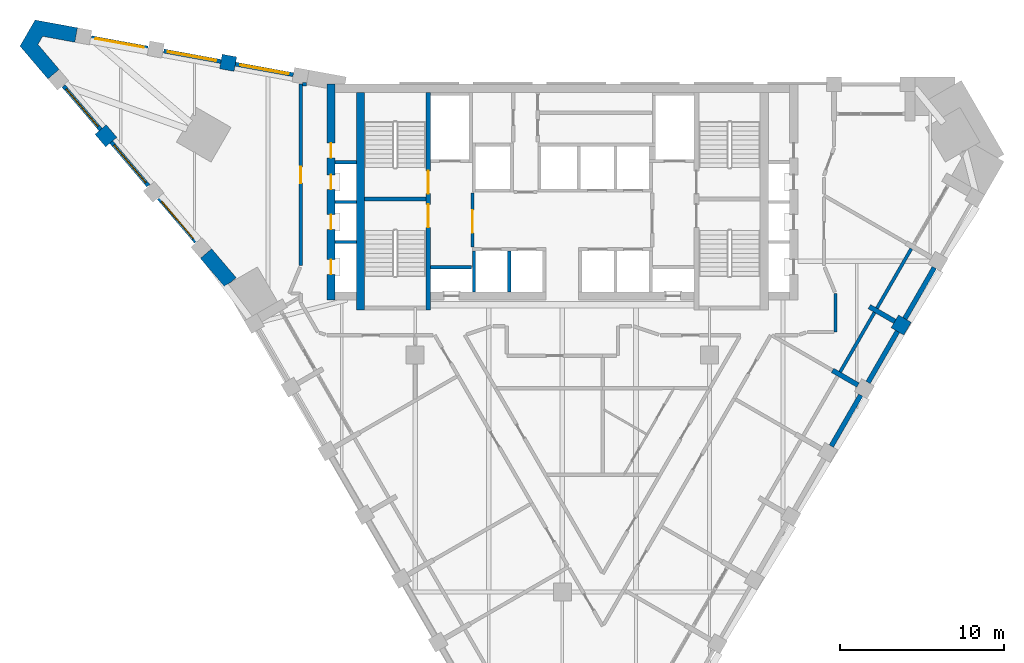
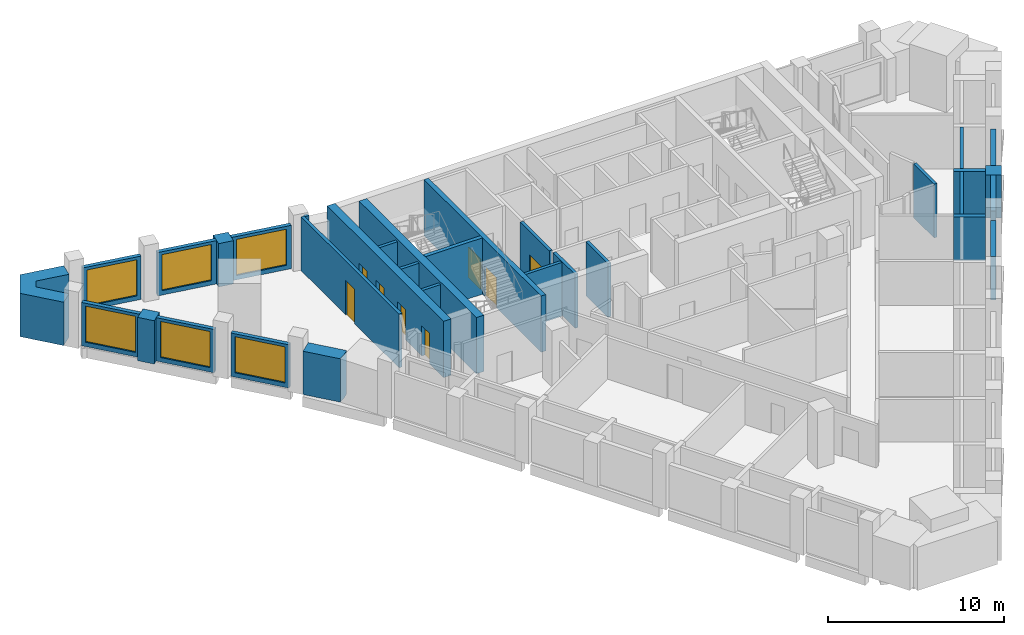
# One storey, part 5 of 9: 32 walls, 8 doors, 6 windows, 14 openings.
"""IFC4 building model written with IfcOpenShell, lengths in metres."""

from ifc_helpers import new_model, si_unit, direction, frame, frame_2d, origin, place, context, subcontext, project, spatial, polyline, rectangle, outline, extrude, material, layer, layer_set, type_object, element, fill, save


model = new_model("IFC4")

# Units and contexts
model_context = context("Model", 3, precision=1e-05, world=origin(), true_north=direction((0.0, 1.0)))
body_context = subcontext(model_context, "Body", "Model", "MODEL_VIEW")
ifc_project = project(units=[si_unit("LENGTHUNIT", "METRE"), si_unit("AREAUNIT", "SQUARE_METRE"), si_unit("VOLUMEUNIT", "CUBIC_METRE"), si_unit("PLANEANGLEUNIT", "RADIAN"), si_unit("MASSUNIT", "GRAM", prefix="KILO")], contexts=[model_context])

# Site, building, storey
site_placement = place(None, origin())
site = spatial("IfcSite", under=ifc_project, at=site_placement, CompositionType="ELEMENT")
building_placement = place(site_placement, origin())
building = spatial("IfcBuilding", under=site, at=building_placement, Name="Calabash Gate Tower", CompositionType="ELEMENT")
storey_placement = place(building_placement, frame((0.0, 0.0, 208.10009765625)))
storey = spatial("IfcBuildingStorey", under=building, at=storey_placement, Name="L49", CompositionType="ELEMENT", Elevation=208.10009765625)

# Walls
ifc_material_1 = material(Name="Terracotta brick masonry, exposed face", Category="masonry")
ifc_layer_1 = layer(ifc_material_1, 0.89990234375)
ifc_layer_set_1 = layer_set([ifc_layer_1], Name="Brick end wall 900")
wall_type_1 = type_object("IfcWallType", Name="Brick end wall 900", PredefinedType="SOLIDWALL", material=ifc_layer_set_1)
for number, where, z_axis, x_axis, name in (
    (1, (20.947509765625, 4.7119140625, 0.0), (0.0, 0.0, 1.0), (-0.50001992892, -0.866013897511, 0.0), "Brick pier S14 SE2.7"),
    (2, (-20.52099609375, 19.91796875, 0.0), (0.0, 0.0, 1.0), (0.180126650564, 0.983643426124, 0.0), "Brick pier S14 wedge5.1"),
):
    element("IfcWall", number, at=place(storey_placement, frame(where, z_axis=z_axis, x_axis=x_axis)), inside=storey, type_object=wall_type_1, Name=name, PredefinedType="SOLIDWALL", context=body_context, shape_type="SweptSolid", body=[
        extrude(rectangle(XDim=0.89990234375, YDim=0.89990234375, at=frame_2d((0.449951171875, 0.0))), origin(), (0.0, 0.0, 1.0), 3.0),
    ])
wall_1_placement = place(storey_placement, frame((-27.587890625, 15.511474609375, 0.0), z_axis=(0.0, 0.0, 1.0), x_axis=(-0.647641360564, 0.761945318305, 0.0)))
element("IfcWall", 3, at=wall_1_placement, inside=storey, type_object=wall_type_1, Name="Brick pier S14 wedge7.1", PredefinedType="SOLIDWALL", context=body_context, shape_type="SweptSolid", body=[
    extrude(rectangle(XDim=1.00390625, YDim=0.89990234375, at=frame_2d((0.501953125, 0.0))), origin(), (0.0, 0.0, 1.0), 3.0),
])
wall_2_placement = place(storey_placement, origin())
element("IfcWall", 4, at=wall_2_placement, inside=storey, type_object=wall_type_1, Name="Brick end wall S14 2", PredefinedType="SOLIDWALL", context=body_context, shape_type="SweptSolid", body=[
    extrude(outline(polyline([(-31.784423828125, 21.978759765625), (-29.816650390625, 21.618896484375), (-29.654541015625, 22.504150390625), (-32.24658203125, 22.978271484375), (-33.168701171875, 21.38134765625), (-31.4619140625, 19.373779296875), (-30.776123046875, 19.956787109375), (-32.072021484375, 21.48095703125), (-31.784423828125, 21.978759765625)])), origin(), (0.0, 0.0, 1.0), 3.0),
])
wall_3_placement = place(storey_placement, origin())
element("IfcWall", 5, at=wall_3_placement, inside=storey, type_object=wall_type_1, Name="Brick end wall S14 3", PredefinedType="SOLIDWALL", context=body_context, shape_type="SweptSolid", body=[
    extrude(outline(polyline([(-19.947998046875, 7.2197265625), (-21.44921875, 8.985595703125), (-22.135009765625, 8.402587890625), (-20.66015625, 6.667724609375), (-20.6806640625, 6.703125), (-20.291015625, 6.92822265625), (-19.947998046875, 7.2197265625)])), origin(), (0.0, 0.0, 1.0), 3.0),
])
ifc_material_2 = material(Name="Terracotta brick masonry, exposed face", Category="masonry")
ifc_layer_2 = layer(ifc_material_2, 0.300048828125)
ifc_layer_set_2 = layer_set([ifc_layer_2], Name="Brick infill panel wall 300")
wall_type_2 = type_object("IfcWallType", Name="Brick infill panel wall 300", PredefinedType="SOLIDWALL", material=ifc_layer_set_2)
wall_4_placement = place(storey_placement, frame((16.447509765625, -3.082275390625, 0.0), z_axis=(0.0, 0.0, 1.0), x_axis=(0.500012057535, 0.866018442252, 0.0)))
element("IfcWall", 6, at=wall_4_placement, inside=storey, type_object=wall_type_2, Name="Brick panel S14 SE2.6", PredefinedType="SOLIDWALL", context=body_context, shape_type="SweptSolid", body=[
    extrude(rectangle(XDim=3.60009765625, YDim=0.300048828125, at=frame_2d((1.800048828125, 0.0))), origin(), (0.0, 0.0, 1.0), 3.0),
])
wall_5_placement = place(storey_placement, frame((18.698486328125, 0.81640625, 0.0), z_axis=(0.0, 0.0, 1.0), x_axis=(0.499984792966, 0.866034183392, 0.0)))
element("IfcWall", 7, at=wall_5_placement, inside=storey, type_object=wall_type_2, Name="Brick panel S14 SE2.7", PredefinedType="SOLIDWALL", context=body_context, shape_type="SweptSolid", body=[
    extrude(rectangle(XDim=3.59814453125, YDim=0.300048828125, at=frame_2d((1.799072265625, 0.0))), origin(), (0.0, 0.0, 1.0), 3.0),
])
wall_6_placement = place(storey_placement, frame((20.947509765625, 4.7119140625, 0.0), z_axis=(0.0, 0.0, 1.0), x_axis=(0.499982693035, 0.866035395735, 0.0)))
element("IfcWall", 8, at=wall_6_placement, inside=storey, type_object=wall_type_2, Name="Brick panel S14 SE2.8", PredefinedType="SOLIDWALL", context=body_context, shape_type="SweptSolid", body=[
    extrude(rectangle(XDim=3.600341796875, YDim=0.300048828125, at=frame_2d((1.80029296875, 0.0))), origin(), (0.0, 0.0, 1.0), 3.0),
])
ifc_material_3 = material(Name="Terracotta brick masonry, exposed face", Category="masonry")
ifc_layer_3 = layer(ifc_material_3, 0.300048828125)
ifc_layer_set_3 = layer_set([ifc_layer_3], Name="Brick loggia cheek wall 300")
wall_type_3 = type_object("IfcWallType", Name="Brick loggia cheek wall 300", PredefinedType="SOLIDWALL", material=ifc_layer_set_3)
wall_7_placement = place(storey_placement, frame((16.52392578125, 1.55029296875, 0.0), z_axis=(0.0, 0.0, 1.0), x_axis=(0.866013897511, -0.50001992892, 0.0)))
element("IfcWall", 9, at=wall_7_placement, inside=storey, type_object=wall_type_3, Name="Loggia cheek S14 SE2.6", PredefinedType="SOLIDWALL", context=body_context, shape_type="SweptSolid", body=[
    extrude(rectangle(XDim=1.7998046875, YDim=0.300048828125, at=frame_2d((0.89990234375, 0.0))), origin(), (0.0, 0.0, 1.0), 3.0),
])
wall_8_placement = place(storey_placement, frame((20.332763671875, 4.54736328125, 0.0), z_axis=(0.0, 0.0, 1.0), x_axis=(-0.866047807691, 0.499961193289, 0.0)))
element("IfcWall", 10, at=wall_8_placement, inside=storey, type_object=wall_type_3, Name="Loggia cheek S14 SE2.7", PredefinedType="SOLIDWALL", context=body_context, shape_type="SweptSolid", body=[
    extrude(rectangle(XDim=1.800048828125, YDim=0.300048828125, at=frame_2d((0.89990234375, 0.0))), origin(), (0.0, 0.0, 1.0), 3.0),
])
ifc_material_4 = material(Name="Concrete C70/85", Category="concrete")
ifc_layer_4 = layer(ifc_material_4, 0.25)
ifc_layer_set_4 = layer_set([ifc_layer_4], Name="Core wall 250 Concrete C70/85")
wall_type_4 = type_object("IfcWallType", Name="Core wall 250 Concrete C70/85", PredefinedType="SHEAR", material=ifc_layer_set_4)
wall_9_placement = place(storey_placement, frame((-12.10009765625, 12.027587890625, 0.0), z_axis=(0.0, 0.0, 1.0), x_axis=(1.0, 0.0, 0.0)))
element("IfcWall", 11, at=wall_9_placement, inside=storey, type_object=wall_type_4, Name="Core wall Z4-MIDW L49", PredefinedType="SHEAR", context=body_context, shape_type="SweptSolid", body=[
    extrude(rectangle(XDim=3.75, YDim=0.25, at=frame_2d((1.875, 0.0))), origin(), (0.0, 0.0, 1.0), 3.89990234375),
])

# Wall, openings, doors
ifc_material_5 = material(Name="Concrete C70/85", Category="concrete")
ifc_layer_5 = layer(ifc_material_5, 0.300048828125)
ifc_layer_set_5 = layer_set([ifc_layer_5], Name="Core wall 300 Concrete C70/85")
wall_type_5 = type_object("IfcWallType", Name="Core wall 300 Concrete C70/85", PredefinedType="SHEAR", material=ifc_layer_set_5)
wall_10_placement = place(storey_placement, frame((-8.199951171875, 5.252685546875, 0.0), z_axis=(0.0, 0.0, 1.0), x_axis=(0.0, 1.0, 0.0)))
wall_10 = element("IfcWall", 12, at=wall_10_placement, inside=storey, type_object=wall_type_5, Name="Core wall Z4-PARTW L49", PredefinedType="SHEAR", context=body_context, shape_type="SweptSolid", body=[
    extrude(rectangle(XDim=13.2998046875, YDim=0.300048828125, at=frame_2d((6.64990234375, 0.0))), origin(), (0.0, 0.0, 1.0), 3.89990234375),
])
opening_1_placement = place(wall_10_placement, frame((7.10009765625, 0.0, 0.0)))
opening_1 = element("IfcOpeningElement", 13, at=opening_1_placement, cuts=wall_10, Name="Opening O6-017", PredefinedType="OPENING", context=body_context, shape_type="SweptSolid", body=[
    extrude(rectangle(XDim=1.39990234375, YDim=2.10009765625, at=frame_2d((0.699951171875, 1.050048828125))), frame((0.0, 0.159912109375, 0.0), z_axis=(0.0, -1.0, 0.0), x_axis=(1.0, 0.0, 0.0)), (0.0, 0.0, 1.0), 0.320068359375),
])
opening_2_placement = place(wall_10_placement, frame((5.050048828125, 0.0, 0.0)))
opening_2 = element("IfcOpeningElement", 14, at=opening_2_placement, cuts=wall_10, Name="Opening O6-018", PredefinedType="OPENING", context=body_context, shape_type="SweptSolid", body=[
    extrude(rectangle(XDim=1.39990234375, YDim=2.10009765625, at=frame_2d((0.699951171875, 1.050048828125))), frame((0.0, 0.159912109375, 0.0), z_axis=(0.0, -1.0, 0.0), x_axis=(1.0, 0.0, 0.0)), (0.0, 0.0, 1.0), 0.320068359375),
])
ifc_material_6 = material(Name="Steel fire door set with fire-resisting glazing", Category="steel")
door_type_1 = type_object("IfcDoorType", Name="Fire door D05 1400x2100 FD90", OperationType="NOTDEFINED", PredefinedType="DOOR", material=ifc_material_6)
door_1_placement = place(opening_1_placement, origin())
door_1 = element("IfcDoor", 15, at=door_1_placement, inside=storey, type_object=door_type_1, Name="Exit stair door ST1", OperationType="SINGLE_SWING_LEFT", OverallHeight=2.10009765625, OverallWidth=1.39990234375, PredefinedType="DOOR", context=body_context, shape_type="SweptSolid", body=[
    extrude(rectangle(XDim=1.39990234375, YDim=2.10009765625, at=frame_2d((0.699951171875, 1.050048828125))), frame((0.0, 0.02490234375, 0.0), z_axis=(0.0, -1.0, 0.0), x_axis=(1.0, 0.0, 0.0)), (0.0, 0.0, 1.0), 0.050048828125),
])
fill(opening_1, door_1)
door_2_placement = place(opening_2_placement, origin())
door_2 = element("IfcDoor", 16, at=door_2_placement, inside=storey, type_object=door_type_1, Name="Exit stair door ST2", OperationType="SINGLE_SWING_LEFT", OverallHeight=2.10009765625, OverallWidth=1.39990234375, PredefinedType="DOOR", context=body_context, shape_type="SweptSolid", body=[
    extrude(rectangle(XDim=1.39990234375, YDim=2.10009765625, at=frame_2d((0.699951171875, 1.050048828125))), frame((0.0, 0.02490234375, 0.0), z_axis=(0.0, -1.0, 0.0), x_axis=(1.0, 0.0, 0.0)), (0.0, 0.0, 1.0), 0.050048828125),
])
fill(opening_2, door_2)

# Wall
ifc_material_7 = material(Name="Concrete C70/85", Category="concrete")
ifc_layer_6 = layer(ifc_material_7, 0.5)
ifc_layer_set_6 = layer_set([ifc_layer_6], Name="Core wall 500 Concrete C70/85")
wall_type_6 = type_object("IfcWallType", Name="Core wall 500 Concrete C70/85", PredefinedType="SHEAR", material=ifc_layer_set_6)
wall_11_placement = place(storey_placement, frame((-12.35009765625, 5.252685546875, 0.0), z_axis=(0.0, 0.0, 1.0), x_axis=(0.0, 1.0, 0.0)))
element("IfcWall", 17, at=wall_11_placement, inside=storey, type_object=wall_type_6, Name="Core wall Z4-COLW L49", PredefinedType="SHEAR", context=body_context, shape_type="SweptSolid", body=[
    extrude(rectangle(XDim=13.2998046875, YDim=0.5, at=frame_2d((6.64990234375, 0.0))), origin(), (0.0, 0.0, 1.0), 3.89990234375),
])

# Wall, openings, doors
wall_12_placement = place(storey_placement, frame((-14.14990234375, 5.8525390625, 0.0), z_axis=(0.0, 0.0, 1.0), x_axis=(0.0, 1.0, 0.0)))
wall_12 = element("IfcWall", 18, at=wall_12_placement, inside=storey, type_object=wall_type_6, Name="Core wall Z4-ENDW L49", PredefinedType="SHEAR", context=body_context, shape_type="SweptSolid", body=[
    extrude(rectangle(XDim=13.199951171875, YDim=0.5, at=frame_2d((6.60009765625, 0.0))), origin(), (0.0, 0.0, 1.0), 3.89990234375),
])
opening_3_placement = place(wall_12_placement, frame((1.574951171875, 0.0, 0.0)))
opening_3 = element("IfcOpeningElement", 19, at=opening_3_placement, cuts=wall_12, Name="Opening O6-005", PredefinedType="OPENING", context=body_context, shape_type="SweptSolid", body=[
    extrude(rectangle(XDim=0.89990234375, YDim=2.10009765625, at=frame_2d((0.449951171875, 1.050048828125))), frame((0.0, 0.260009765625, 0.0), z_axis=(0.0, -1.0, 0.0), x_axis=(1.0, 0.0, 0.0)), (0.0, 0.0, 1.0), 0.52001953125),
])
opening_4_placement = place(wall_12_placement, frame((4.320068359375, 0.0, 0.0)))
opening_4 = element("IfcOpeningElement", 20, at=opening_4_placement, cuts=wall_12, Name="Opening O6-006", PredefinedType="OPENING", context=body_context, shape_type="SweptSolid", body=[
    extrude(rectangle(XDim=0.89990234375, YDim=2.10009765625, at=frame_2d((0.449951171875, 1.050048828125))), frame((0.0, 0.260009765625, 0.0), z_axis=(0.0, -1.0, 0.0), x_axis=(1.0, 0.0, 0.0)), (0.0, 0.0, 1.0), 0.52001953125),
])
opening_5_placement = place(wall_12_placement, frame((6.760009765625, 0.0, 0.0)))
opening_5 = element("IfcOpeningElement", 21, at=opening_5_placement, cuts=wall_12, Name="Opening O6-007", PredefinedType="OPENING", context=body_context, shape_type="SweptSolid", body=[
    extrude(rectangle(XDim=0.89990234375, YDim=2.10009765625, at=frame_2d((0.449951171875, 1.050048828125))), frame((0.0, 0.260009765625, 0.0), z_axis=(0.0, -1.0, 0.0), x_axis=(1.0, 0.0, 0.0)), (0.0, 0.0, 1.0), 0.52001953125),
])
opening_6_placement = place(wall_12_placement, frame((8.697509765625, 0.0, 0.0)))
opening_6 = element("IfcOpeningElement", 22, at=opening_6_placement, cuts=wall_12, Name="Opening O6-008", PredefinedType="OPENING", context=body_context, shape_type="SweptSolid", body=[
    extrude(rectangle(XDim=0.89990234375, YDim=2.10009765625, at=frame_2d((0.449951171875, 1.050048828125))), frame((0.0, 0.260009765625, 0.0), z_axis=(0.0, -1.0, 0.0), x_axis=(1.0, 0.0, 0.0)), (0.0, 0.0, 1.0), 0.52001953125),
])
ifc_material_8 = material(Name="Steel fire door set with fire-resisting glazing", Category="steel")
door_type_2 = type_object("IfcDoorType", Name="Fire door D06 900x2100 FD60", OperationType="NOTDEFINED", PredefinedType="DOOR", material=ifc_material_8)
door_3_placement = place(opening_3_placement, origin())
door_3 = element("IfcDoor", 23, at=door_3_placement, inside=storey, type_object=door_type_2, Name="Duct Riser door", OperationType="SINGLE_SWING_LEFT", OverallHeight=2.10009765625, OverallWidth=0.89990234375, PredefinedType="DOOR", context=body_context, shape_type="SweptSolid", body=[
    extrude(rectangle(XDim=0.89990234375, YDim=2.10009765625, at=frame_2d((0.449951171875, 1.050048828125))), frame((0.0, 0.02490234375, 0.0), z_axis=(0.0, -1.0, 0.0), x_axis=(1.0, 0.0, 0.0)), (0.0, 0.0, 1.0), 0.050048828125),
])
fill(opening_3, door_3)
door_4_placement = place(opening_4_placement, origin())
door_4 = element("IfcDoor", 24, at=door_4_placement, inside=storey, type_object=door_type_2, Name="Electrical Riser door", OperationType="SINGLE_SWING_LEFT", OverallHeight=2.10009765625, OverallWidth=0.89990234375, PredefinedType="DOOR", context=body_context, shape_type="SweptSolid", body=[
    extrude(rectangle(XDim=0.89990234375, YDim=2.10009765625, at=frame_2d((0.449951171875, 1.050048828125))), frame((0.0, 0.02490234375, 0.0), z_axis=(0.0, -1.0, 0.0), x_axis=(1.0, 0.0, 0.0)), (0.0, 0.0, 1.0), 0.050048828125),
])
fill(opening_4, door_4)
door_5_placement = place(opening_5_placement, origin())
door_5 = element("IfcDoor", 25, at=door_5_placement, inside=storey, type_object=door_type_2, Name="Comms Riser door", OperationType="SINGLE_SWING_LEFT", OverallHeight=2.10009765625, OverallWidth=0.89990234375, PredefinedType="DOOR", context=body_context, shape_type="SweptSolid", body=[
    extrude(rectangle(XDim=0.89990234375, YDim=2.10009765625, at=frame_2d((0.449951171875, 1.050048828125))), frame((0.0, 0.02490234375, 0.0), z_axis=(0.0, -1.0, 0.0), x_axis=(1.0, 0.0, 0.0)), (0.0, 0.0, 1.0), 0.050048828125),
])
fill(opening_5, door_5)
door_6_placement = place(opening_6_placement, origin())
door_6 = element("IfcDoor", 26, at=door_6_placement, inside=storey, type_object=door_type_2, Name="Cleaner's Store door", OperationType="SINGLE_SWING_LEFT", OverallHeight=2.10009765625, OverallWidth=0.89990234375, PredefinedType="DOOR", context=body_context, shape_type="SweptSolid", body=[
    extrude(rectangle(XDim=0.89990234375, YDim=2.10009765625, at=frame_2d((0.449951171875, 1.050048828125))), frame((0.0, 0.02490234375, 0.0), z_axis=(0.0, -1.0, 0.0), x_axis=(1.0, 0.0, 0.0)), (0.0, 0.0, 1.0), 0.050048828125),
])
fill(opening_6, door_6)

# Wall
ifc_material_9 = material(Name="Gypsum board on steel studs, mineral wool", Category="steel")
ifc_layer_7 = layer(ifc_material_9, 0.199951171875)
ifc_layer_set_7 = layer_set([ifc_layer_7], Name="Partition 200 gypsum board EI 60")
wall_type_7 = type_object("IfcWallType", Name="Partition 200 gypsum board EI 60", PredefinedType="PARTITIONING", material=ifc_layer_set_7)
wall_13_placement = place(storey_placement, frame((16.700439453125, 3.89990234375, 0.0), z_axis=(0.0, 0.0, 1.0), x_axis=(0.0, 1.0, 0.0)))
element("IfcWall", 27, at=wall_13_placement, inside=storey, type_object=wall_type_7, Name="Partition", PredefinedType="PARTITIONING", context=body_context, shape_type="SweptSolid", body=[
    extrude(rectangle(XDim=2.352783203125, YDim=0.199951171875, at=frame_2d((1.17626953125, 0.0))), origin(), (0.0, 0.0, 1.0), 3.72998046875),
])

# Wall, opening, door
wall_14_placement = place(storey_placement, frame((-16.00048828125, 7.95263671875, 0.0), z_axis=(0.0, 0.0, 1.0), x_axis=(0.0, 1.0, 0.0)))
wall_14 = element("IfcWall", 28, at=wall_14_placement, inside=storey, type_object=wall_type_7, Name="Partition", PredefinedType="PARTITIONING", context=body_context, shape_type="SweptSolid", body=[
    extrude(rectangle(XDim=11.099853515625, YDim=0.199951171875, at=frame_2d((5.5498046875, 0.0))), origin(), (0.0, 0.0, 1.0), 3.72998046875),
])
opening_7_placement = place(wall_14_placement, frame((5.0498046875, 0.0, 0.0)))
opening_7 = element("IfcOpeningElement", 29, at=opening_7_placement, cuts=wall_14, Name="Opening 49-51-010", PredefinedType="OPENING", context=body_context, shape_type="SweptSolid", body=[
    extrude(rectangle(XDim=1.0, YDim=2.39990234375, at=frame_2d((0.5, 1.199951171875))), frame((0.0, 0.10986328125, 0.0), z_axis=(0.0, -1.0, 0.0), x_axis=(1.0, 0.0, 0.0)), (0.0, 0.0, 1.0), 0.219970703125),
])
ifc_material_10 = material(Name="Painted timber door", Category="wood")
door_type_3 = type_object("IfcDoorType", Name="OD2 Glazed office door 1000x2400", OperationType="NOTDEFINED", PredefinedType="DOOR", material=ifc_material_10)
door_7_placement = place(opening_7_placement, origin())
door_7 = element("IfcDoor", 30, at=door_7_placement, inside=storey, type_object=door_type_3, Name="Glazed office door", OperationType="SINGLE_SWING_LEFT", OverallHeight=2.39990234375, OverallWidth=1.0, PredefinedType="DOOR", context=body_context, shape_type="SweptSolid", body=[
    extrude(rectangle(XDim=1.0, YDim=2.39990234375, at=frame_2d((0.5, 1.199951171875))), frame((0.0, 0.02490234375, 0.0), z_axis=(0.0, -1.0, 0.0), x_axis=(1.0, 0.0, 0.0)), (0.0, 0.0, 1.0), 0.050048828125),
])
fill(opening_7, door_7)

# Wall
wall_15_placement = place(storey_placement, frame((-15.900390625, 19.052490234375, 0.0), z_axis=(0.0, 0.0, 1.0), x_axis=(1.0, 0.0, 0.0)))
element("IfcWall", 31, at=wall_15_placement, inside=storey, type_object=wall_type_7, Name="Partition", PredefinedType="PARTITIONING", context=body_context, shape_type="SweptSolid", body=[
    extrude(rectangle(XDim=0.253662109375, YDim=0.199951171875, at=frame_2d((0.126953125, 0.0))), origin(), (0.0, 0.0, 1.0), 3.72998046875),
])

# Wall, opening, window
ifc_material_11 = material(Name="Aluminium framed window wall with insulated spandrel", Category="aluminium")
ifc_layer_8 = layer(ifc_material_11, 0.25)
ifc_layer_set_8 = layer_set([ifc_layer_8], Name="Prow window wall 250")
wall_type_8 = type_object("IfcWallType", Name="Prow window wall 250", PredefinedType="ELEMENTEDWALL", material=ifc_layer_set_8)
wall_16_placement = place(storey_placement, frame((-16.4560546875, 19.631591796875, 0.0), z_axis=(0.0, 0.0, 1.0), x_axis=(-0.983669647318, 0.17998340186, 0.0)))
wall_16 = element("IfcWall", 32, at=wall_16_placement, inside=storey, type_object=wall_type_8, Name="Prow window wall S14 wedge5.1", PredefinedType="ELEMENTEDWALL", context=body_context, shape_type="SweptSolid", body=[
    extrude(rectangle(XDim=3.60009765625, YDim=0.25, at=frame_2d((1.800048828125, 0.0))), origin(), (0.0, 0.0, 1.0), 3.0),
])
opening_8_placement = place(wall_16_placement, frame((0.300048828125, 0.0, 0.300048828125)))
opening_8 = element("IfcOpeningElement", 33, at=opening_8_placement, cuts=wall_16, Name="Opening WP2", PredefinedType="OPENING", context=body_context, shape_type="SweptSolid", body=[
    extrude(rectangle(XDim=3.0, YDim=2.5, at=frame_2d((1.5, 1.25))), frame((0.0, 0.135009765625, 0.0), z_axis=(0.0, -1.0, 0.0), x_axis=(1.0, 0.0, 0.0)), (0.0, 0.0, 1.0), 0.27001953125),
])
ifc_material_12 = material(Name="Anodised aluminium frame, bronze finish, impact-rated laminated clear glazing", Category="aluminium")
window_type = type_object("IfcWindowType", Name="Window WP2 3000x2500", PartitioningType="DOUBLE_PANEL_VERTICAL", PredefinedType="WINDOW", material=ifc_material_12)
window_1_placement = place(opening_8_placement, origin())
window_1 = element("IfcWindow", 34, at=window_1_placement, inside=storey, type_object=window_type, Name="Prow window WP2 S14 wedge5.1", OverallHeight=2.5, OverallWidth=3.0, PartitioningType="SINGLE_PANEL", PredefinedType="WINDOW", context=body_context, shape_type="SweptSolid", body=[
    extrude(rectangle(XDim=3.0, YDim=2.5, at=frame_2d((1.5, 1.25))), frame((0.0, 0.030029296875, 0.0), z_axis=(0.0, -1.0, 0.0), x_axis=(1.0, 0.0, 0.0)), (0.0, 0.0, 1.0), 0.06005859375),
])
fill(opening_8, window_1)

wall_17_placement = place(storey_placement, frame((-20.880615234375, 20.441162109375, 0.0), z_axis=(0.0, 0.0, 1.0), x_axis=(-0.98366583261, 0.180004249274, 0.0)))
wall_17 = element("IfcWall", 35, at=wall_17_placement, inside=storey, type_object=wall_type_8, Name="Prow window wall S14 wedge5.2", PredefinedType="ELEMENTEDWALL", context=body_context, shape_type="SweptSolid", body=[
    extrude(rectangle(XDim=3.55224609375, YDim=0.25, at=frame_2d((1.776123046875, 0.0))), origin(), (0.0, 0.0, 1.0), 3.0),
])
opening_9_placement = place(wall_17_placement, frame((0.302001953125, 0.0, 0.300048828125)))
opening_9 = element("IfcOpeningElement", 36, at=opening_9_placement, cuts=wall_17, Name="Opening WP2", PredefinedType="OPENING", context=body_context, shape_type="SweptSolid", body=[
    extrude(rectangle(XDim=3.0, YDim=2.5, at=frame_2d((1.5, 1.25))), frame((0.0, 0.135009765625, 0.0), z_axis=(0.0, -1.0, 0.0), x_axis=(1.0, 0.0, 0.0)), (0.0, 0.0, 1.0), 0.27001953125),
])
window_2_placement = place(opening_9_placement, origin())
window_2 = element("IfcWindow", 37, at=window_2_placement, inside=storey, type_object=window_type, Name="Prow window WP2 S14 wedge5.2", OverallHeight=2.5, OverallWidth=3.0, PartitioningType="SINGLE_PANEL", PredefinedType="WINDOW", context=body_context, shape_type="SweptSolid", body=[
    extrude(rectangle(XDim=3.0, YDim=2.5, at=frame_2d((1.5, 1.25))), frame((0.0, 0.030029296875, 0.0), z_axis=(0.0, -1.0, 0.0), x_axis=(1.0, 0.0, 0.0)), (0.0, 0.0, 1.0), 0.06005859375),
])
fill(opening_9, window_2)

wall_18_placement = place(storey_placement, frame((-25.3583984375, 21.260498046875, 0.0), z_axis=(0.0, 0.0, 1.0), x_axis=(-0.983672889292, 0.179965682483, 0.0)))
wall_18 = element("IfcWall", 38, at=wall_18_placement, inside=storey, type_object=wall_type_8, Name="Prow window wall S14 wedge5.3", PredefinedType="ELEMENTEDWALL", context=body_context, shape_type="SweptSolid", body=[
    extrude(rectangle(XDim=3.5, YDim=0.25, at=frame_2d((1.75, 0.0))), origin(), (0.0, 0.0, 1.0), 3.0),
])
opening_10_placement = place(wall_18_placement, frame((0.25, 0.0, 0.300048828125)))
opening_10 = element("IfcOpeningElement", 39, at=opening_10_placement, cuts=wall_18, Name="Opening WP2", PredefinedType="OPENING", context=body_context, shape_type="SweptSolid", body=[
    extrude(rectangle(XDim=3.0, YDim=2.5, at=frame_2d((1.5, 1.25))), frame((0.0, 0.135009765625, 0.0), z_axis=(0.0, -1.0, 0.0), x_axis=(1.0, 0.0, 0.0)), (0.0, 0.0, 1.0), 0.27001953125),
])
window_3_placement = place(opening_10_placement, origin())
window_3 = element("IfcWindow", 40, at=window_3_placement, inside=storey, type_object=window_type, Name="Prow window WP2 S14 wedge5.3", OverallHeight=2.5, OverallWidth=3.0, PartitioningType="SINGLE_PANEL", PredefinedType="WINDOW", context=body_context, shape_type="SweptSolid", body=[
    extrude(rectangle(XDim=3.0, YDim=2.5, at=frame_2d((1.5, 1.25))), frame((0.0, 0.030029296875, 0.0), z_axis=(0.0, -1.0, 0.0), x_axis=(1.0, 0.0, 0.0)), (0.0, 0.0, 1.0), 0.06005859375),
])
fill(opening_10, window_3)

wall_19_placement = place(storey_placement, frame((-30.503662109375, 18.94140625, 0.0), z_axis=(0.0, 0.0, 1.0), x_axis=(0.647701065937, -0.761894565661, 0.0)))
wall_19 = element("IfcWall", 41, at=wall_19_placement, inside=storey, type_object=wall_type_8, Name="Prow window wall S14 wedge7.1", PredefinedType="ELEMENTEDWALL", context=body_context, shape_type="SweptSolid", body=[
    extrude(rectangle(XDim=3.499755859375, YDim=0.25, at=frame_2d((1.75, 0.0))), origin(), (0.0, 0.0, 1.0), 3.0),
])
opening_11_placement = place(wall_19_placement, frame((0.25, 0.0, 0.300048828125)))
opening_11 = element("IfcOpeningElement", 42, at=opening_11_placement, cuts=wall_19, Name="Opening WP2", PredefinedType="OPENING", context=body_context, shape_type="SweptSolid", body=[
    extrude(rectangle(XDim=3.0, YDim=2.5, at=frame_2d((1.5, 1.25))), frame((0.0, 0.135009765625, 0.0), z_axis=(0.0, -1.0, 0.0), x_axis=(1.0, 0.0, 0.0)), (0.0, 0.0, 1.0), 0.27001953125),
])
window_4_placement = place(opening_11_placement, origin())
window_4 = element("IfcWindow", 43, at=window_4_placement, inside=storey, type_object=window_type, Name="Prow window WP2 S14 wedge7.1", OverallHeight=2.5, OverallWidth=3.0, PartitioningType="SINGLE_PANEL", PredefinedType="WINDOW", context=body_context, shape_type="SweptSolid", body=[
    extrude(rectangle(XDim=3.0, YDim=2.5, at=frame_2d((1.5, 1.25))), frame((0.0, 0.030029296875, 0.0), z_axis=(0.0, -1.0, 0.0), x_axis=(1.0, 0.0, 0.0)), (0.0, 0.0, 1.0), 0.06005859375),
])
fill(opening_11, window_4)

wall_20_placement = place(storey_placement, frame((-27.589111328125, 15.512939453125, 0.0), z_axis=(0.0, 0.0, 1.0), x_axis=(0.647741556426, -0.761860142073, 0.0)))
wall_20 = element("IfcWall", 44, at=wall_20_placement, inside=storey, type_object=wall_type_8, Name="Prow window wall S14 wedge7.2", PredefinedType="ELEMENTEDWALL", context=body_context, shape_type="SweptSolid", body=[
    extrude(rectangle(XDim=3.5, YDim=0.25, at=frame_2d((1.75, 0.0))), origin(), (0.0, 0.0, 1.0), 3.0),
])
opening_12_placement = place(wall_20_placement, frame((0.25, 0.0, 0.300048828125)))
opening_12 = element("IfcOpeningElement", 45, at=opening_12_placement, cuts=wall_20, Name="Opening WP2", PredefinedType="OPENING", context=body_context, shape_type="SweptSolid", body=[
    extrude(rectangle(XDim=3.0, YDim=2.5, at=frame_2d((1.5, 1.25))), frame((0.0, 0.135009765625, 0.0), z_axis=(0.0, -1.0, 0.0), x_axis=(1.0, 0.0, 0.0)), (0.0, 0.0, 1.0), 0.27001953125),
])
window_5_placement = place(opening_12_placement, origin())
window_5 = element("IfcWindow", 46, at=window_5_placement, inside=storey, type_object=window_type, Name="Prow window WP2 S14 wedge7.2", OverallHeight=2.5, OverallWidth=3.0, PartitioningType="SINGLE_PANEL", PredefinedType="WINDOW", context=body_context, shape_type="SweptSolid", body=[
    extrude(rectangle(XDim=3.0, YDim=2.5, at=frame_2d((1.5, 1.25))), frame((0.0, 0.030029296875, 0.0), z_axis=(0.0, -1.0, 0.0), x_axis=(1.0, 0.0, 0.0)), (0.0, 0.0, 1.0), 0.06005859375),
])
fill(opening_12, window_5)

wall_21_placement = place(storey_placement, frame((-24.67431640625, 12.08447265625, 0.0), z_axis=(0.0, 0.0, 1.0), x_axis=(0.647701065937, -0.761894565661, 0.0)))
wall_21 = element("IfcWall", 47, at=wall_21_placement, inside=storey, type_object=wall_type_8, Name="Prow window wall S14 wedge7.3", PredefinedType="ELEMENTEDWALL", context=body_context, shape_type="SweptSolid", body=[
    extrude(rectangle(XDim=3.499755859375, YDim=0.25, at=frame_2d((1.75, 0.0))), origin(), (0.0, 0.0, 1.0), 3.0),
])
opening_13_placement = place(wall_21_placement, frame((0.25, 0.0, 0.300048828125)))
opening_13 = element("IfcOpeningElement", 48, at=opening_13_placement, cuts=wall_21, Name="Opening WP2", PredefinedType="OPENING", context=body_context, shape_type="SweptSolid", body=[
    extrude(rectangle(XDim=3.0, YDim=2.5, at=frame_2d((1.5, 1.25))), frame((0.0, 0.135009765625, 0.0), z_axis=(0.0, -1.0, 0.0), x_axis=(1.0, 0.0, 0.0)), (0.0, 0.0, 1.0), 0.27001953125),
])
window_6_placement = place(opening_13_placement, origin())
window_6 = element("IfcWindow", 49, at=window_6_placement, inside=storey, type_object=window_type, Name="Prow window WP2 S14 wedge7.3", OverallHeight=2.5, OverallWidth=3.0, PartitioningType="SINGLE_PANEL", PredefinedType="WINDOW", context=body_context, shape_type="SweptSolid", body=[
    extrude(rectangle(XDim=3.0, YDim=2.5, at=frame_2d((1.5, 1.25))), frame((0.0, 0.030029296875, 0.0), z_axis=(0.0, -1.0, 0.0), x_axis=(1.0, 0.0, 0.0)), (0.0, 0.0, 1.0), 0.06005859375),
])
fill(opening_13, window_6)

# Walls
ifc_material_13 = material(Name="Concrete C40/50", Category="concrete")
ifc_layer_9 = layer(ifc_material_13, 0.199951171875)
ifc_layer_set_9 = layer_set([ifc_layer_9], Name="Shaft wall 200 Concrete C40/50")
wall_type_9 = type_object("IfcWallType", Name="Shaft wall 200 Concrete C40/50", PredefinedType="SOLIDWALL", material=ifc_layer_set_9)
for number, where, z_axis, x_axis, name in (
    (50, (-5.39990234375, 6.3525390625, 0.0), (0.0, 0.0, 1.0), (0.0, 1.0, 0.0), "Shaft wall"),
    (51, (-3.25, 6.3525390625, 0.0), (0.0, 0.0, 1.0), (0.0, 1.0, 0.0), "Shaft wall"),
    (52, (-8.050048828125, 7.8525390625, 0.0), (0.0, 0.0, 1.0), (1.0, 0.0, 0.0), "Shaft wall"),
):
    element("IfcWall", number, at=place(storey_placement, frame(where, z_axis=z_axis, x_axis=x_axis)), inside=storey, type_object=wall_type_9, Name=name, PredefinedType="SOLIDWALL", context=body_context, shape_type="SweptSolid", body=[
        extrude(rectangle(XDim=2.5, YDim=0.199951171875, at=frame_2d((1.25, 0.0))), origin(), (0.0, 0.0, 1.0), 3.72998046875),
    ])

# Wall, opening, door
wall_22_placement = place(storey_placement, frame((-5.5, 9.1025390625, 0.0), z_axis=(0.0, 0.0, 1.0), x_axis=(0.0, 1.0, 0.0)))
wall_22 = element("IfcWall", 53, at=wall_22_placement, inside=storey, type_object=wall_type_9, Name="Shaft wall", PredefinedType="SOLIDWALL", context=body_context, shape_type="SweptSolid", body=[
    extrude(rectangle(XDim=3.300048828125, YDim=0.199951171875, at=frame_2d((1.64990234375, 0.0))), origin(), (0.0, 0.0, 1.0), 3.72998046875),
])
opening_14_placement = place(wall_22_placement, frame((0.85009765625, 0.0, 0.0)))
opening_14 = element("IfcOpeningElement", 54, at=opening_14_placement, cuts=wall_22, Name="Opening O6-011", PredefinedType="OPENING", context=body_context, shape_type="SweptSolid", body=[
    extrude(rectangle(XDim=1.39990234375, YDim=2.10009765625, at=frame_2d((0.699951171875, 1.050048828125))), frame((0.0, 0.10986328125, 0.0), z_axis=(0.0, -1.0, 0.0), x_axis=(1.0, 0.0, 0.0)), (0.0, 0.0, 1.0), 0.219970703125),
])
door_8_placement = place(opening_14_placement, origin())
door_8 = element("IfcDoor", 55, at=door_8_placement, inside=storey, type_object=door_type_1, Name="Firefighting Lobby W door", OperationType="SINGLE_SWING_RIGHT", OverallHeight=2.10009765625, OverallWidth=1.39990234375, PredefinedType="DOOR", context=body_context, shape_type="SweptSolid", body=[
    extrude(rectangle(XDim=1.39990234375, YDim=2.10009765625, at=frame_2d((0.699951171875, 1.050048828125))), frame((0.0, 0.02490234375, 0.0), z_axis=(0.0, -1.0, 0.0), x_axis=(1.0, 0.0, 0.0)), (0.0, 0.0, 1.0), 0.050048828125),
])
fill(opening_14, door_8)

# Walls
for number, where, z_axis, x_axis, name in (
    (56, (-13.89990234375, 9.402587890625, 0.0), (0.0, 0.0, 1.0), (1.0, 0.0, 0.0), "Shaft wall"),
    (57, (-13.89990234375, 11.842529296875, 0.0), (0.0, 0.0, 1.0), (1.0, 0.0, 0.0), "Shaft wall"),
    (58, (-13.89990234375, 14.28271484375, 0.0), (0.0, 0.0, 1.0), (1.0, 0.0, 0.0), "Shaft wall"),
):
    element("IfcWall", number, at=place(storey_placement, frame(where, z_axis=z_axis, x_axis=x_axis)), inside=storey, type_object=wall_type_9, Name=name, PredefinedType="SOLIDWALL", context=body_context, shape_type="SweptSolid", body=[
        extrude(rectangle(XDim=1.2998046875, YDim=0.199951171875, at=frame_2d((0.64990234375, 0.0))), origin(), (0.0, 0.0, 1.0), 3.72998046875),
    ])
ifc_material_14 = material(Name="Aluminium framed window wall with insulated spandrel", Category="aluminium")
ifc_layer_10 = layer(ifc_material_14, 0.199951171875)
ifc_layer_set_10 = layer_set([ifc_layer_10], Name="Window wall 200")
wall_type_10 = type_object("IfcWallType", Name="Window wall 200", PredefinedType="ELEMENTEDWALL", material=ifc_layer_set_10)
wall_23_placement = place(storey_placement, frame((16.98876953125, 1.455078125, 0.0), z_axis=(0.0, 0.0, 1.0), x_axis=(0.500002543286, 0.866023935413, 0.0)))
element("IfcWall", 59, at=wall_23_placement, inside=storey, type_object=wall_type_10, Name="Window wall S14 SE2.7", PredefinedType="ELEMENTEDWALL", context=body_context, shape_type="SweptSolid", body=[
    extrude(rectangle(XDim=4.2001953125, YDim=0.199951171875, at=frame_2d((2.10009765625, 0.0))), origin(), (0.0, 0.0, 1.0), 3.0),
])
wall_24_placement = place(storey_placement, frame((19.23876953125, 5.352294921875, 0.0), z_axis=(0.0, 0.0, 1.0), x_axis=(0.500027713859, 0.866009402589, 0.0)))
element("IfcWall", 60, at=wall_24_placement, inside=storey, type_object=wall_type_10, Name="Window wall S14 SE2.8", PredefinedType="ELEMENTEDWALL", context=body_context, shape_type="SweptSolid", body=[
    extrude(rectangle(XDim=4.199951171875, YDim=0.199951171875, at=frame_2d((2.10009765625, 0.0))), origin(), (0.0, 0.0, 1.0), 2.949951171875),
])

save(model, "model.ifc")
